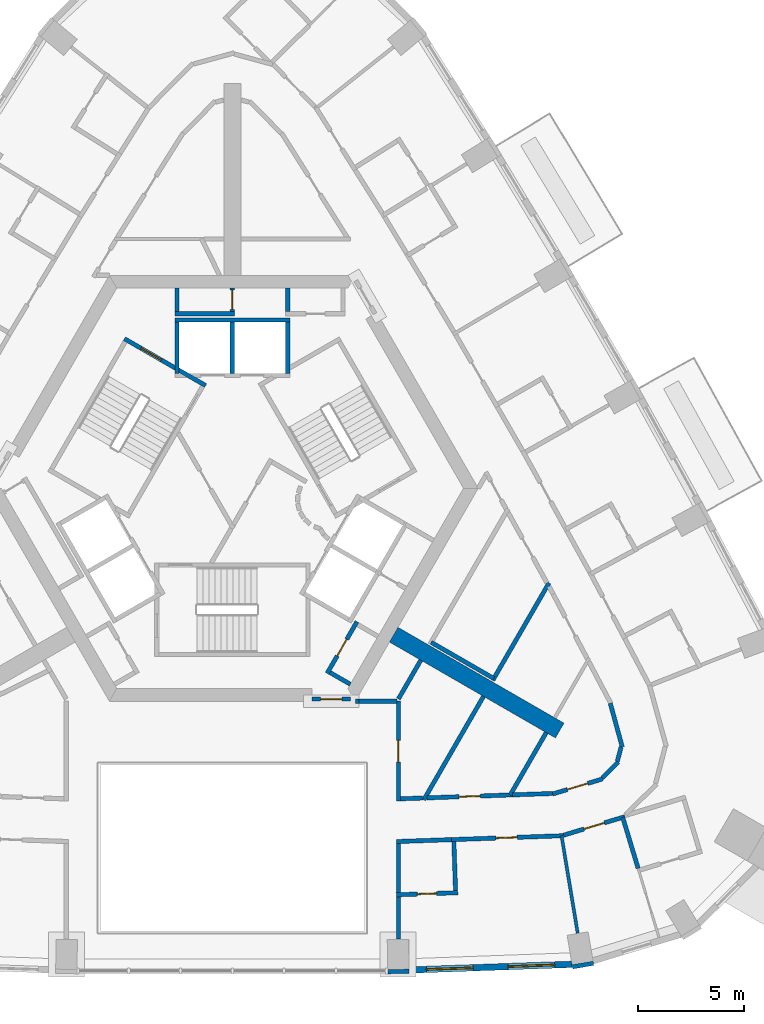
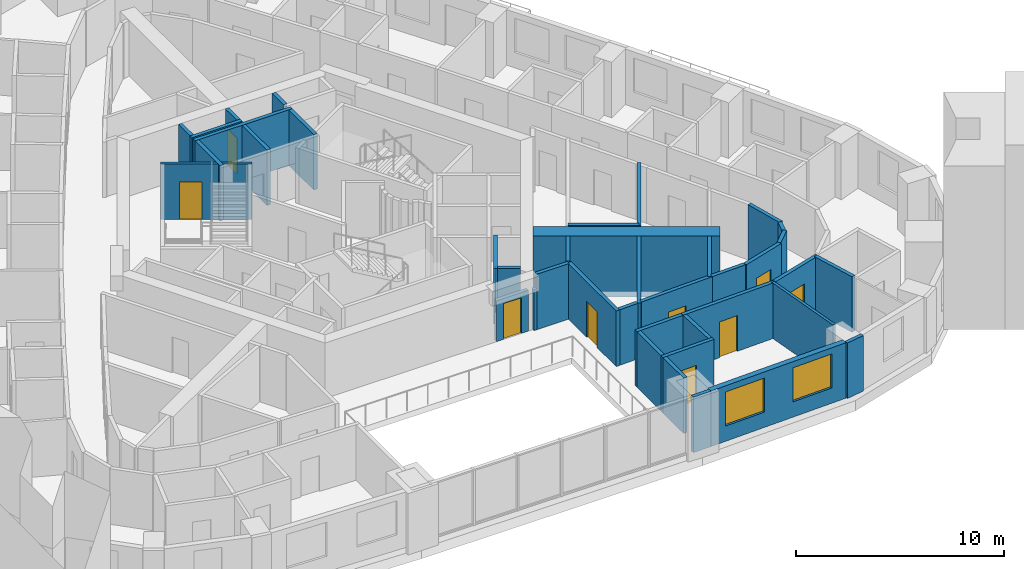
# One storey, part 6 of 14: 40 walls, 10 doors, 2 windows, 12 openings.
"""IFC4 building model written with IfcOpenShell, lengths in metres."""

from ifc_helpers import new_model, si_unit, direction, frame, frame_2d, origin, place, context, subcontext, project, spatial, rectangle, extrude, material, layer, layer_set, type_object, element, fill, save


model = new_model("IFC4")

# Units and contexts
model_context = context("Model", 3, precision=1e-05, world=origin(), true_north=direction((0.0, 1.0)))
body_context = subcontext(model_context, "Body", "Model", "MODEL_VIEW")
ifc_project = project(units=[si_unit("LENGTHUNIT", "METRE"), si_unit("AREAUNIT", "SQUARE_METRE"), si_unit("VOLUMEUNIT", "CUBIC_METRE"), si_unit("PLANEANGLEUNIT", "RADIAN"), si_unit("MASSUNIT", "GRAM", prefix="KILO")], contexts=[model_context])

# Site, building, storey
site_placement = place(None, origin())
site = spatial("IfcSite", under=ifc_project, at=site_placement, CompositionType="ELEMENT")
building_placement = place(site_placement, origin())
building = spatial("IfcBuilding", under=site, at=building_placement, Name="Entoto Arch Interchange Tower", CompositionType="ELEMENT")
storey_placement = place(building_placement, frame((0.0, 0.0, 252.199951171875)))
storey = spatial("IfcBuildingStorey", under=building, at=storey_placement, Name="L57", CompositionType="ELEMENT", Elevation=252.199951171875)

# Wall
ifc_material_1 = material(Name="Concrete C40/50", Category="concrete")
ifc_layer_1 = layer(ifc_material_1, 0.800048828125)
ifc_layer_set_1 = layer_set([ifc_layer_1], Name="Concrete C40/50")
wall_type_1 = type_object("IfcWallType", Name="Buttress wall 800 C40/50", PredefinedType="SHEAR", material=ifc_layer_set_1)
wall_1_placement = place(storey_placement, frame((7.577880859375, -4.375, -0.33984375), z_axis=(0.0, 0.0, 1.0), x_axis=(0.866024315419, -0.5000018851, 0.0)))
element("IfcWall", 1, at=wall_1_placement, inside=storey, type_object=wall_type_1, Name="Buttress wall SE L57", PredefinedType="SHEAR", context=body_context, shape_type="SweptSolid", body=[
    extrude(rectangle(XDim=9.0, YDim=0.800048828125, at=frame_2d((4.5, 0.0))), origin(), (0.0, 0.0, 1.0), 3.599853515625),
])

# Wall, opening, door
ifc_material_2 = material(Name="Reinforced concrete C40/50", Category="concrete")
ifc_layer_2 = layer(ifc_material_2, 0.199951171875)
ifc_layer_set_2 = layer_set([ifc_layer_2], Name="Reinforced concrete C40/50")
wall_type_2 = type_object("IfcWallType", Name="CORE GAP INFILL WALL", PredefinedType="PARTITIONING", material=ifc_layer_set_2)
wall_2_placement = place(storey_placement, frame((3.75, -7.39990234375, 0.0), z_axis=(0.0, 0.0, 1.0), x_axis=(1.0, 0.0, 0.0)))
wall_2 = element("IfcWall", 2, at=wall_2_placement, inside=storey, type_object=wall_type_2, Name="wall:L57:gap1", PredefinedType="PARTITIONING", context=body_context, shape_type="SweptSolid", body=[
    extrude(rectangle(XDim=1.7939453125, YDim=0.199951171875, at=frame_2d((0.89697265625, 0.0))), origin(), (0.0, 0.0, 1.0), 2.400146484375),
])
opening_1_placement = place(wall_2_placement, frame((0.39697265625, 0.0, 0.0)))
opening_1 = element("IfcOpeningElement", 3, at=opening_1_placement, cuts=wall_2, Name="Opening L57-D91", PredefinedType="OPENING", context=body_context, shape_type="SweptSolid", body=[
    extrude(rectangle(XDim=1.0, YDim=2.10009765625, at=frame_2d((0.5, 1.050048828125))), frame((0.0, 0.10986328125, 0.0), z_axis=(0.0, -1.0, 0.0), x_axis=(1.0, 0.0, 0.0)), (0.0, 0.0, 1.0), 0.219970703125),
])
ifc_material_3 = material(Name="Fire-rated Steel S235 door and frame", Category="steel")
door_type_1 = type_object("IfcDoorType", Name="DOOR FD-10 1000x2100", OperationType="SINGLE_SWING_LEFT", PredefinedType="DOOR", material=ifc_material_3)
door_1_placement = place(opening_1_placement, origin())
door_1 = element("IfcDoor", 4, at=door_1_placement, inside=storey, type_object=door_type_1, Name="door:L57:gap1", OperationType="SINGLE_SWING_LEFT", OverallHeight=2.10009765625, OverallWidth=1.0, PredefinedType="DOOR", context=body_context, shape_type="SweptSolid", body=[
    extrude(rectangle(XDim=1.0, YDim=2.10009765625, at=frame_2d((0.5, 1.050048828125))), frame((0.0, 0.02490234375, 0.0), z_axis=(0.0, -1.0, 0.0), x_axis=(1.0, 0.0, 0.0)), (0.0, 0.0, 1.0), 0.050048828125),
])
fill(opening_1, door_1)

# Walls
ifc_layer_3 = layer(ifc_material_1, 0.199951171875)
ifc_layer_set_3 = layer_set([ifc_layer_3], Name="Concrete C40/50")
wall_type_3 = type_object("IfcWallType", Name="LIFT SHAFT WALL 200", PredefinedType="STANDARD", material=ifc_layer_set_3)
wall_3_placement = place(storey_placement, frame((2.699951171875, 10.39990234375, 0.0), z_axis=(0.0, 0.0, 1.0), x_axis=(-1.0, 0.0, 0.0)))
element("IfcWall", 5, at=wall_3_placement, inside=storey, type_object=wall_type_3, Name="Shaft wall N1 back", PredefinedType="STANDARD", context=body_context, shape_type="SweptSolid", body=[
    extrude(rectangle(XDim=5.39990234375, YDim=0.199951171875, at=frame_2d((2.699951171875, 0.0))), origin(), (0.0, 0.0, 1.0), 3.260009765625),
])
for number, where, z_axis, x_axis, name in (
    (6, (2.60009765625, 7.89990234375, 0.0), (0.0, 0.0, 1.0), (0.0, 1.0, 0.0), "Shaft wall N1 cross 1"),
    (7, (0.0, 7.89990234375, 0.0), (0.0, 0.0, 1.0), (0.0, 1.0, 0.0), "Shaft wall N1 cross 2"),
    (8, (-2.60009765625, 7.89990234375, 0.0), (0.0, 0.0, 1.0), (0.0, 1.0, 0.0), "Shaft wall N1 cross 3"),
):
    element("IfcWall", number, at=place(storey_placement, frame(where, z_axis=z_axis, x_axis=x_axis)), inside=storey, type_object=wall_type_3, Name=name, PredefinedType="STANDARD", context=body_context, shape_type="SweptSolid", body=[
        extrude(rectangle(XDim=2.400146484375, YDim=0.199951171875, at=frame_2d((1.2001953125, 0.0))), origin(), (0.0, 0.0, 1.0), 3.260009765625),
    ])
ifc_material_4 = material(Name="Gypsum board partition on steel studs", Category="steel")
ifc_layer_4 = layer(ifc_material_4, 0.14990234375)
ifc_layer_set_4 = layer_set([ifc_layer_4], Name="Gypsum board partition on steel studs")
wall_type_4 = type_object("IfcWallType", Name="PARTITION 150", PredefinedType="PARTITIONING", material=ifc_layer_set_4)
wall_4_placement = place(storey_placement, frame((15.458984375, -13.818115234375, 0.0), z_axis=(0.0, 0.0, 1.0), x_axis=(0.163441652939, -0.986553002167, 0.0)))
element("IfcWall", 9, at=wall_4_placement, inside=storey, type_object=wall_type_4, Name="wall:L57:p124", PredefinedType="PARTITIONING", context=body_context, shape_type="SweptSolid", body=[
    extrude(rectangle(XDim=4.632080078125, YDim=0.14990234375, at=frame_2d((2.31591796875, 0.0))), origin(), (0.0, 0.0, 1.0), 3.260009765625),
])
ifc_layer_5 = layer(ifc_material_4, 0.199951171875)
ifc_layer_set_5 = layer_set([ifc_layer_5], Name="Gypsum board partition on steel studs")
wall_type_5 = type_object("IfcWallType", Name="PARTITION 200", PredefinedType="PARTITIONING", material=ifc_layer_set_5)
wall_5_placement = place(storey_placement, frame((7.89990234375, -12.0810546875, 0.0), z_axis=(0.0, 0.0, 1.0), x_axis=(0.999365240621, 0.035624652105, 0.0)))
element("IfcWall", 10, at=wall_5_placement, inside=storey, type_object=wall_type_5, Name="wall:L57:p014", PredefinedType="PARTITIONING", context=body_context, shape_type="SweptSolid", body=[
    extrude(rectangle(XDim=1.041748046875, YDim=0.199951171875, at=frame_2d((0.52099609375, 0.0))), origin(), (0.0, 0.0, 1.0), 3.260009765625),
])

# Wall, opening, door
wall_6_placement = place(storey_placement, frame((9.14111328125, -12.037109375, 0.0), z_axis=(0.0, 0.0, 1.0), x_axis=(0.999388955878, 0.034953038062, 0.0)))
wall_6 = element("IfcWall", 11, at=wall_6_placement, inside=storey, type_object=wall_type_5, Name="wall:L57:p016", PredefinedType="PARTITIONING", context=body_context, shape_type="SweptSolid", body=[
    extrude(rectangle(XDim=4.00927734375, YDim=0.199951171875, at=frame_2d((2.004638671875, 0.0))), origin(), (0.0, 0.0, 1.0), 3.260009765625),
])
opening_2_placement = place(wall_6_placement, frame((1.5048828125, 0.0, 0.0)))
opening_2 = element("IfcOpeningElement", 12, at=opening_2_placement, cuts=wall_6, Name="Opening L57-D35", PredefinedType="OPENING", context=body_context, shape_type="SweptSolid", body=[
    extrude(rectangle(XDim=1.0, YDim=2.10009765625, at=frame_2d((0.5, 1.050048828125))), frame((0.0, 0.10986328125, 0.0), z_axis=(0.0, -1.0, 0.0), x_axis=(1.0, 0.0, 0.0)), (0.0, 0.0, 1.0), 0.219970703125),
])
ifc_material_5 = material(Name="Timber door leaf in Steel S235 frame", Category="steel")
door_type_2 = type_object("IfcDoorType", Name="DOOR DS-10 1000x2100", OperationType="SINGLE_SWING_LEFT", PredefinedType="DOOR", material=ifc_material_5)
door_2_placement = place(opening_2_placement, origin())
door_2 = element("IfcDoor", 13, at=door_2_placement, inside=storey, type_object=door_type_2, Name="door:L57:35", OperationType="SINGLE_SWING_LEFT", OverallHeight=2.10009765625, OverallWidth=1.0, PredefinedType="DOOR", context=body_context, shape_type="SweptSolid", body=[
    extrude(rectangle(XDim=1.0, YDim=2.10009765625, at=frame_2d((0.5, 1.050048828125))), frame((0.0, 0.02490234375, 0.0), z_axis=(0.0, -1.0, 0.0), x_axis=(1.0, 0.0, 0.0)), (0.0, 0.0, 1.0), 0.050048828125),
])
fill(opening_2, door_2)

# Wall
wall_7_placement = place(storey_placement, frame((13.14794921875, -11.89697265625, 0.0), z_axis=(0.0, 0.0, 1.0), x_axis=(0.999405229262, 0.034484601243, 0.0)))
element("IfcWall", 14, at=wall_7_placement, inside=storey, type_object=wall_type_5, Name="wall:L57:p019", PredefinedType="PARTITIONING", context=body_context, shape_type="SweptSolid", body=[
    extrude(rectangle(XDim=1.88330078125, YDim=0.199951171875, at=frame_2d((0.941650390625, 0.0))), origin(), (0.0, 0.0, 1.0), 3.260009765625),
])

# Wall, opening, door
wall_8_placement = place(storey_placement, frame((15.033935546875, -11.85693359375, 0.0), z_axis=(0.0, 0.0, 1.0), x_axis=(0.957338084933, 0.288970225346, 0.0)))
wall_8 = element("IfcWall", 15, at=wall_8_placement, inside=storey, type_object=wall_type_5, Name="wall:L57:p020", PredefinedType="PARTITIONING", context=body_context, shape_type="SweptSolid", body=[
    extrude(rectangle(XDim=2.456787109375, YDim=0.199951171875, at=frame_2d((1.228515625, 0.0))), origin(), (0.0, 0.0, 1.0), 3.260009765625),
])
opening_3_placement = place(wall_8_placement, frame((0.72802734375, 0.0, 0.0)))
opening_3 = element("IfcOpeningElement", 16, at=opening_3_placement, cuts=wall_8, Name="Opening L57-D37", PredefinedType="OPENING", context=body_context, shape_type="SweptSolid", body=[
    extrude(rectangle(XDim=1.0, YDim=2.10009765625, at=frame_2d((0.5, 1.050048828125))), frame((0.0, 0.10986328125, 0.0), z_axis=(0.0, -1.0, 0.0), x_axis=(1.0, 0.0, 0.0)), (0.0, 0.0, 1.0), 0.219970703125),
])
door_3_placement = place(opening_3_placement, origin())
door_3 = element("IfcDoor", 17, at=door_3_placement, inside=storey, type_object=door_type_2, Name="door:L57:37", OperationType="SINGLE_SWING_LEFT", OverallHeight=2.10009765625, OverallWidth=1.0, PredefinedType="DOOR", context=body_context, shape_type="SweptSolid", body=[
    extrude(rectangle(XDim=1.0, YDim=2.10009765625, at=frame_2d((0.5, 1.050048828125))), frame((0.0, 0.02490234375, 0.0), z_axis=(0.0, -1.0, 0.0), x_axis=(1.0, 0.0, 0.0)), (0.0, 0.0, 1.0), 0.050048828125),
])
fill(opening_3, door_3)

# Walls
wall_9_placement = place(storey_placement, frame((17.362060546875, -11.10595703125, 0.0), z_axis=(0.0, 0.0, 1.0), x_axis=(0.710859741153, 0.703333795866, 0.0)))
element("IfcWall", 18, at=wall_9_placement, inside=storey, type_object=wall_type_5, Name="wall:L57:p021", PredefinedType="PARTITIONING", context=body_context, shape_type="SweptSolid", body=[
    extrude(rectangle(XDim=1.070556640625, YDim=0.199951171875, at=frame_2d((0.53515625, 0.0))), origin(), (0.0, 0.0, 1.0), 3.260009765625),
])
wall_10_placement = place(storey_placement, frame((18.076904296875, -10.325927734375, 0.0), z_axis=(0.0, 0.0, 1.0), x_axis=(0.254782174857, 0.966998471237, 0.0)))
element("IfcWall", 19, at=wall_10_placement, inside=storey, type_object=wall_type_5, Name="wall:L57:p022", PredefinedType="PARTITIONING", context=body_context, shape_type="SweptSolid", body=[
    extrude(rectangle(XDim=0.707275390625, YDim=0.199951171875, at=frame_2d((0.353515625, 0.0))), origin(), (0.0, 0.0, 1.0), 3.260009765625),
])
wall_11_placement = place(storey_placement, frame((18.30810546875, -9.64208984375, 0.0), z_axis=(0.0, 0.0, 1.0), x_axis=(-0.264859637197, 0.96428697626, 0.0)))
element("IfcWall", 20, at=wall_11_placement, inside=storey, type_object=wall_type_5, Name="wall:L57:p023", PredefinedType="PARTITIONING", context=body_context, shape_type="SweptSolid", body=[
    extrude(rectangle(XDim=2.121826171875, YDim=0.199951171875, at=frame_2d((1.06103515625, 0.0))), origin(), (0.0, 0.0, 1.0), 3.260009765625),
])

# Wall, opening, door
wall_12_placement = place(storey_placement, frame((15.55908203125, -13.81396484375, 0.0), z_axis=(0.0, 0.0, 1.0), x_axis=(-0.999388410674, -0.034968623214, 0.0)))
wall_12 = element("IfcWall", 21, at=wall_12_placement, inside=storey, type_object=wall_type_5, Name="wall:L57:p036", PredefinedType="PARTITIONING", context=body_context, shape_type="SweptSolid", body=[
    extrude(rectangle(XDim=5.26416015625, YDim=0.199951171875, at=frame_2d((2.632080078125, 0.0))), origin(), (0.0, 0.0, 1.0), 3.260009765625),
])
opening_4_placement = place(wall_12_placement, frame((2.181884765625, 0.0, 0.0)))
opening_4 = element("IfcOpeningElement", 22, at=opening_4_placement, cuts=wall_12, Name="Opening L57-D01", PredefinedType="OPENING", context=body_context, shape_type="SweptSolid", body=[
    extrude(rectangle(XDim=1.0, YDim=2.10009765625, at=frame_2d((0.5, 1.050048828125))), frame((0.0, 0.10986328125, 0.0), z_axis=(0.0, -1.0, 0.0), x_axis=(1.0, 0.0, 0.0)), (0.0, 0.0, 1.0), 0.219970703125),
])
door_4_placement = place(opening_4_placement, origin())
door_4 = element("IfcDoor", 23, at=door_4_placement, inside=storey, type_object=door_type_1, Name="door:L57:01", OperationType="SINGLE_SWING_LEFT", OverallHeight=2.10009765625, OverallWidth=1.0, PredefinedType="DOOR", context=body_context, shape_type="SweptSolid", body=[
    extrude(rectangle(XDim=1.0, YDim=2.10009765625, at=frame_2d((0.5, 1.050048828125))), frame((0.0, 0.02490234375, 0.0), z_axis=(0.0, -1.0, 0.0), x_axis=(1.0, 0.0, 0.0)), (0.0, 0.0, 1.0), 0.050048828125),
])
fill(opening_4, door_4)

# Wall
wall_13_placement = place(storey_placement, frame((10.298095703125, -13.998046875, 0.0), z_axis=(0.0, 0.0, 1.0), x_axis=(-0.999386321032, -0.035028293342, 0.0)))
element("IfcWall", 24, at=wall_13_placement, inside=storey, type_object=wall_type_5, Name="wall:L57:p037", PredefinedType="PARTITIONING", context=body_context, shape_type="SweptSolid", body=[
    extrude(rectangle(XDim=2.599853515625, YDim=0.199951171875, at=frame_2d((1.2998046875, 0.0))), origin(), (0.0, 0.0, 1.0), 3.260009765625),
])

# Wall, opening, door
wall_14_placement = place(storey_placement, frame((18.427001953125, -12.922119140625, 0.0), z_axis=(0.0, 0.0, 1.0), x_axis=(-0.957336631432, -0.288975040651, 0.0)))
wall_14 = element("IfcWall", 25, at=wall_14_placement, inside=storey, type_object=wall_type_5, Name="wall:L57:p038", PredefinedType="PARTITIONING", context=body_context, shape_type="SweptSolid", body=[
    extrude(rectangle(XDim=3.0, YDim=0.199951171875, at=frame_2d((1.5, 0.0))), origin(), (0.0, 0.0, 1.0), 3.260009765625),
])
opening_5_placement = place(wall_14_placement, frame((1.0, 0.0, 0.0)))
opening_5 = element("IfcOpeningElement", 26, at=opening_5_placement, cuts=wall_14, Name="Opening L57-D03", PredefinedType="OPENING", context=body_context, shape_type="SweptSolid", body=[
    extrude(rectangle(XDim=1.0, YDim=2.10009765625, at=frame_2d((0.5, 1.050048828125))), frame((0.0, 0.10986328125, 0.0), z_axis=(0.0, -1.0, 0.0), x_axis=(1.0, 0.0, 0.0)), (0.0, 0.0, 1.0), 0.219970703125),
])
door_5_placement = place(opening_5_placement, origin())
door_5 = element("IfcDoor", 27, at=door_5_placement, inside=storey, type_object=door_type_1, Name="door:L57:03", OperationType="SINGLE_SWING_LEFT", OverallHeight=2.10009765625, OverallWidth=1.0, PredefinedType="DOOR", context=body_context, shape_type="SweptSolid", body=[
    extrude(rectangle(XDim=1.0, YDim=2.10009765625, at=frame_2d((0.5, 1.050048828125))), frame((0.0, 0.02490234375, 0.0), z_axis=(0.0, -1.0, 0.0), x_axis=(1.0, 0.0, 0.0)), (0.0, 0.0, 1.0), 0.050048828125),
])
fill(opening_5, door_5)

# Wall
wall_15_placement = place(storey_placement, frame((2.60009765625, 10.800048828125, 0.0), z_axis=(0.0, 0.0, 1.0), x_axis=(0.0, 1.0, 0.0)))
element("IfcWall", 28, at=wall_15_placement, inside=storey, type_object=wall_type_5, Name="wall:L57:p074", PredefinedType="PARTITIONING", context=body_context, shape_type="SweptSolid", body=[
    extrude(rectangle(XDim=1.099853515625, YDim=0.199951171875, at=frame_2d((0.5498046875, 0.0))), origin(), (0.0, 0.0, 1.0), 3.260009765625),
])

# Wall, opening, door
wall_16_placement = place(storey_placement, frame((0.0, 11.89990234375, 0.0), z_axis=(0.0, 0.0, 1.0), x_axis=(0.0, -1.0, 0.0)))
wall_16 = element("IfcWall", 29, at=wall_16_placement, inside=storey, type_object=wall_type_5, Name="wall:L57:p075", PredefinedType="PARTITIONING", context=body_context, shape_type="SweptSolid", body=[
    extrude(rectangle(XDim=1.099853515625, YDim=0.199951171875, at=frame_2d((0.5498046875, 0.0))), origin(), (0.0, 0.0, 1.0), 3.260009765625),
])
opening_6_placement = place(wall_16_placement, frame((0.10009765625, 0.0, 0.0)))
opening_6 = element("IfcOpeningElement", 30, at=opening_6_placement, cuts=wall_16, Name="Opening L57-D49", PredefinedType="OPENING", context=body_context, shape_type="SweptSolid", body=[
    extrude(rectangle(XDim=0.89990234375, YDim=2.10009765625, at=frame_2d((0.449951171875, 1.050048828125))), frame((0.0, 0.10986328125, 0.0), z_axis=(0.0, -1.0, 0.0), x_axis=(1.0, 0.0, 0.0)), (0.0, 0.0, 1.0), 0.219970703125),
])
door_type_3 = type_object("IfcDoorType", Name="DOOR DS-09 900x2100", OperationType="SINGLE_SWING_LEFT", PredefinedType="DOOR", material=ifc_material_5)
door_6_placement = place(opening_6_placement, origin())
door_6 = element("IfcDoor", 31, at=door_6_placement, inside=storey, type_object=door_type_3, Name="door:L57:49", OperationType="SINGLE_SWING_LEFT", OverallHeight=2.10009765625, OverallWidth=0.89990234375, PredefinedType="DOOR", context=body_context, shape_type="SweptSolid", body=[
    extrude(rectangle(XDim=0.89990234375, YDim=2.10009765625, at=frame_2d((0.449951171875, 1.050048828125))), frame((0.0, 0.02490234375, 0.0), z_axis=(0.0, -1.0, 0.0), x_axis=(1.0, 0.0, 0.0)), (0.0, 0.0, 1.0), 0.050048828125),
])
fill(opening_6, door_6)

# Walls
wall_17_placement = place(storey_placement, frame((0.10009765625, 10.699951171875, 0.0), z_axis=(0.0, 0.0, 1.0), x_axis=(-1.0, 0.0, 0.0)))
element("IfcWall", 32, at=wall_17_placement, inside=storey, type_object=wall_type_5, Name="wall:L57:p076", PredefinedType="PARTITIONING", context=body_context, shape_type="SweptSolid", body=[
    extrude(rectangle(XDim=2.800048828125, YDim=0.199951171875, at=frame_2d((1.39990234375, 0.0))), origin(), (0.0, 0.0, 1.0), 3.260009765625),
])
wall_18_placement = place(storey_placement, frame((-2.60009765625, 10.800048828125, 0.0), z_axis=(0.0, 0.0, 1.0), x_axis=(0.0, 1.0, 0.0)))
element("IfcWall", 33, at=wall_18_placement, inside=storey, type_object=wall_type_5, Name="wall:L57:p077", PredefinedType="PARTITIONING", context=body_context, shape_type="SweptSolid", body=[
    extrude(rectangle(XDim=1.099853515625, YDim=0.199951171875, at=frame_2d((0.5498046875, 0.0))), origin(), (0.0, 0.0, 1.0), 3.260009765625),
])
wall_19_placement = place(storey_placement, frame((5.541015625, -6.702880859375, 0.0), z_axis=(0.0, 0.0, 1.0), x_axis=(-0.86621513555, 0.499671230855, 0.0)))
element("IfcWall", 34, at=wall_19_placement, inside=storey, type_object=wall_type_5, Name="wall:L57:p078", PredefinedType="PARTITIONING", context=body_context, shape_type="SweptSolid", body=[
    extrude(rectangle(XDim=1.100341796875, YDim=0.199951171875, at=frame_2d((0.55029296875, 0.0))), origin(), (0.0, 0.0, 1.0), 3.260009765625),
])

# Wall, opening, door
wall_20_placement = place(storey_placement, frame((4.450927734375, -6.18994140625, 0.0), z_axis=(0.0, 0.0, 1.0), x_axis=(0.500011755427, 0.866018616679, 0.0)))
wall_20 = element("IfcWall", 35, at=wall_20_placement, inside=storey, type_object=wall_type_5, Name="wall:L57:p079", PredefinedType="PARTITIONING", context=body_context, shape_type="SweptSolid", body=[
    extrude(rectangle(XDim=2.80029296875, YDim=0.199951171875, at=frame_2d((1.400146484375, 0.0))), origin(), (0.0, 0.0, 1.0), 3.260009765625),
])
opening_7_placement = place(wall_20_placement, frame((0.949951171875, 0.0, 0.0)))
opening_7 = element("IfcOpeningElement", 36, at=opening_7_placement, cuts=wall_20, Name="Opening L57-D50", PredefinedType="OPENING", context=body_context, shape_type="SweptSolid", body=[
    extrude(rectangle(XDim=0.89990234375, YDim=2.10009765625, at=frame_2d((0.449951171875, 1.050048828125))), frame((0.0, 0.10986328125, 0.0), z_axis=(0.0, -1.0, 0.0), x_axis=(1.0, 0.0, 0.0)), (0.0, 0.0, 1.0), 0.219970703125),
])
door_7_placement = place(opening_7_placement, origin())
door_7 = element("IfcDoor", 37, at=door_7_placement, inside=storey, type_object=door_type_3, Name="door:L57:50", OperationType="SINGLE_SWING_LEFT", OverallHeight=2.10009765625, OverallWidth=0.89990234375, PredefinedType="DOOR", context=body_context, shape_type="SweptSolid", body=[
    extrude(rectangle(XDim=0.89990234375, YDim=2.10009765625, at=frame_2d((0.449951171875, 1.050048828125))), frame((0.0, 0.02490234375, 0.0), z_axis=(0.0, -1.0, 0.0), x_axis=(1.0, 0.0, 0.0)), (0.0, 0.0, 1.0), 0.050048828125),
])
fill(opening_7, door_7)

# Walls
wall_21_placement = place(storey_placement, frame((5.77490234375, -7.4990234375, 0.0), z_axis=(0.0, 0.0, 1.0), x_axis=(1.0, 0.0, 0.0)))
element("IfcWall", 38, at=wall_21_placement, inside=storey, type_object=wall_type_5, Name="wall:L57:p090", PredefinedType="PARTITIONING", context=body_context, shape_type="SweptSolid", body=[
    extrude(rectangle(XDim=0.169189453125, YDim=0.199951171875, at=frame_2d((0.08447265625, 0.0))), origin(), (0.0, 0.0, 1.0), 2.400146484375),
])
wall_22_placement = place(storey_placement, frame((7.800048828125, -7.389892578125, 0.0), z_axis=(0.0, 0.0, 1.0), x_axis=(0.499977374825, 0.866038466041, 0.0)))
element("IfcWall", 39, at=wall_22_placement, inside=storey, type_object=wall_type_5, Name="wall:L57:p091", PredefinedType="PARTITIONING", context=body_context, shape_type="SweptSolid", body=[
    extrude(rectangle(XDim=2.10009765625, YDim=0.199951171875, at=frame_2d((1.050048828125, 0.0))), origin(), (0.0, 0.0, 1.0), 3.260009765625),
])

# Wall, opening, door
wall_23_placement = place(storey_placement, frame((7.800048828125, -7.4990234375, 0.0), z_axis=(0.0, 0.0, 1.0), x_axis=(0.0, -1.0, 0.0)))
wall_23 = element("IfcWall", 40, at=wall_23_placement, inside=storey, type_object=wall_type_5, Name="wall:L57:p105", PredefinedType="PARTITIONING", context=body_context, shape_type="SweptSolid", body=[
    extrude(rectangle(XDim=4.68505859375, YDim=0.199951171875, at=frame_2d((2.342529296875, 0.0))), origin(), (0.0, 0.0, 1.0), 3.260009765625),
])
opening_8_placement = place(wall_23_placement, frame((1.842041015625, 0.0, 0.0)))
opening_8 = element("IfcOpeningElement", 41, at=opening_8_placement, cuts=wall_23, Name="Opening L57-D33", PredefinedType="OPENING", context=body_context, shape_type="SweptSolid", body=[
    extrude(rectangle(XDim=1.0, YDim=2.10009765625, at=frame_2d((0.5, 1.050048828125))), frame((0.0, 0.10986328125, 0.0), z_axis=(0.0, -1.0, 0.0), x_axis=(1.0, 0.0, 0.0)), (0.0, 0.0, 1.0), 0.219970703125),
])
door_8_placement = place(opening_8_placement, origin())
door_8 = element("IfcDoor", 42, at=door_8_placement, inside=storey, type_object=door_type_2, Name="door:L57:33", OperationType="SINGLE_SWING_LEFT", OverallHeight=2.10009765625, OverallWidth=1.0, PredefinedType="DOOR", context=body_context, shape_type="SweptSolid", body=[
    extrude(rectangle(XDim=1.0, YDim=2.10009765625, at=frame_2d((0.5, 1.050048828125))), frame((0.0, 0.02490234375, 0.0), z_axis=(0.0, -1.0, 0.0), x_axis=(1.0, 0.0, 0.0)), (0.0, 0.0, 1.0), 0.050048828125),
])
fill(opening_8, door_8)

# Walls
wall_24_placement = place(storey_placement, frame((7.800048828125, -16.68603515625, 0.0), z_axis=(0.0, 0.0, 1.0), x_axis=(0.0, -1.0, 0.0)))
element("IfcWall", 43, at=wall_24_placement, inside=storey, type_object=wall_type_5, Name="wall:L57:p107", PredefinedType="PARTITIONING", context=body_context, shape_type="SweptSolid", body=[
    extrude(rectangle(XDim=1.98291015625, YDim=0.199951171875, at=frame_2d((0.991455078125, 0.0))), origin(), (0.0, 0.0, 1.0), 3.260009765625),
])
wall_25_placement = place(storey_placement, frame((7.800048828125, -14.18505859375, 0.0), z_axis=(0.0, 0.0, 1.0), x_axis=(0.0, -1.0, 0.0)))
element("IfcWall", 44, at=wall_25_placement, inside=storey, type_object=wall_type_5, Name="wall:L57:p108", PredefinedType="PARTITIONING", context=body_context, shape_type="SweptSolid", body=[
    extrude(rectangle(XDim=2.301025390625, YDim=0.199951171875, at=frame_2d((1.150390625, 0.0))), origin(), (0.0, 0.0, 1.0), 3.260009765625),
])
wall_26_placement = place(storey_placement, frame((9.3349609375, -4.73193359375, 0.0), z_axis=(0.0, 0.0, 1.0), x_axis=(0.866002606077, -0.500039484709, 0.0)))
element("IfcWall", 45, at=wall_26_placement, inside=storey, type_object=wall_type_5, Name="wall:L57:p111", PredefinedType="PARTITIONING", context=body_context, shape_type="SweptSolid", body=[
    extrude(rectangle(XDim=3.399658203125, YDim=0.199951171875, at=frame_2d((1.69970703125, 0.0))), origin(), (0.0, 0.0, 1.0), 3.260009765625),
])
wall_27_placement = place(storey_placement, frame((11.7939453125, -7.27099609375, 0.0), z_axis=(0.0, 0.0, 1.0), x_axis=(-0.499918457185, -0.866072477433, 0.0)))
element("IfcWall", 46, at=wall_27_placement, inside=storey, type_object=wall_type_5, Name="wall:L57:p112", PredefinedType="PARTITIONING", context=body_context, shape_type="SweptSolid", body=[
    extrude(rectangle(XDim=5.60693359375, YDim=0.199951171875, at=frame_2d((2.803466796875, 0.0))), origin(), (0.0, 0.0, 1.0), 3.260009765625),
])
wall_28_placement = place(storey_placement, frame((14.87109375, -1.94189453125, 0.0), z_axis=(0.0, 0.0, 1.0), x_axis=(-0.50000507839, -0.866022471755, 0.0)))
element("IfcWall", 47, at=wall_28_placement, inside=storey, type_object=wall_type_5, Name="wall:L57:p114", PredefinedType="PARTITIONING", context=body_context, shape_type="SweptSolid", body=[
    extrude(rectangle(XDim=5.2841796875, YDim=0.199951171875, at=frame_2d((2.64208984375, 0.0))), origin(), (0.0, 0.0, 1.0), 3.260009765625),
])
wall_29_placement = place(storey_placement, frame((14.739013671875, -8.971923828125, 0.0), z_axis=(0.0, 0.0, 1.0), x_axis=(-0.499974489635, -0.8660401317, 0.0)))
element("IfcWall", 48, at=wall_29_placement, inside=storey, type_object=wall_type_5, Name="wall:L57:p116", PredefinedType="PARTITIONING", context=body_context, shape_type="SweptSolid", body=[
    extrude(rectangle(XDim=3.382080078125, YDim=0.199951171875, at=frame_2d((1.69091796875, 0.0))), origin(), (0.0, 0.0, 1.0), 3.260009765625),
])

# Wall, opening, door
wall_30_placement = place(storey_placement, frame((7.699951171875, -16.589111328125, 0.0), z_axis=(0.0, 0.0, 1.0), x_axis=(0.999410709261, 0.034325416459, 0.0)))
wall_30 = element("IfcWall", 49, at=wall_30_placement, inside=storey, type_object=wall_type_5, Name="wall:L57:p122", PredefinedType="PARTITIONING", context=body_context, shape_type="SweptSolid", body=[
    extrude(rectangle(XDim=2.8876953125, YDim=0.199951171875, at=frame_2d((1.44384765625, 0.0))), origin(), (0.0, 0.0, 1.0), 3.260009765625),
])
opening_9_placement = place(wall_30_placement, frame((0.993896484375, 0.0, 0.0)))
opening_9 = element("IfcOpeningElement", 50, at=opening_9_placement, cuts=wall_30, Name="Opening L57-D02", PredefinedType="OPENING", context=body_context, shape_type="SweptSolid", body=[
    extrude(rectangle(XDim=0.89990234375, YDim=2.10009765625, at=frame_2d((0.449951171875, 1.050048828125))), frame((0.0, 0.10986328125, 0.0), z_axis=(0.0, -1.0, 0.0), x_axis=(1.0, 0.0, 0.0)), (0.0, 0.0, 1.0), 0.219970703125),
])
door_9_placement = place(opening_9_placement, origin())
door_9 = element("IfcDoor", 51, at=door_9_placement, inside=storey, type_object=door_type_3, Name="door:L57:02", OperationType="SINGLE_SWING_LEFT", OverallHeight=2.10009765625, OverallWidth=0.89990234375, PredefinedType="DOOR", context=body_context, shape_type="SweptSolid", body=[
    extrude(rectangle(XDim=0.89990234375, YDim=2.10009765625, at=frame_2d((0.449951171875, 1.050048828125))), frame((0.0, 0.02490234375, 0.0), z_axis=(0.0, -1.0, 0.0), x_axis=(1.0, 0.0, 0.0)), (0.0, 0.0, 1.0), 0.050048828125),
])
fill(opening_9, door_9)

# Walls
wall_31_placement = place(storey_placement, frame((10.48193359375, -16.39306640625, 0.0), z_axis=(0.0, 0.0, 1.0), x_axis=(-0.034703518322, 0.999397651496, 0.0)))
element("IfcWall", 52, at=wall_31_placement, inside=storey, type_object=wall_type_5, Name="wall:L57:p123", PredefinedType="PARTITIONING", context=body_context, shape_type="SweptSolid", body=[
    extrude(rectangle(XDim=2.300537109375, YDim=0.199951171875, at=frame_2d((1.150390625, 0.0))), origin(), (0.0, 0.0, 1.0), 3.260009765625),
])
wall_32_placement = place(storey_placement, frame((18.3310546875, -12.950927734375, 0.0), z_axis=(0.0, 0.0, 1.0), x_axis=(0.289175152117, -0.957276204341, 0.0)))
element("IfcWall", 53, at=wall_32_placement, inside=storey, type_object=wall_type_5, Name="wall:L57:p126", PredefinedType="PARTITIONING", context=body_context, shape_type="SweptSolid", body=[
    extrude(rectangle(XDim=2.499755859375, YDim=0.199951171875, at=frame_2d((1.25, 0.0))), origin(), (0.0, 0.0, 1.0), 3.260009765625),
])
wall_33_placement = place(storey_placement, frame((5.944091796875, -7.4990234375, 0.0), z_axis=(0.0, 0.0, 1.0), x_axis=(1.0, 0.0, 0.0)))
element("IfcWall", 54, at=wall_33_placement, inside=storey, type_object=wall_type_5, Name="wall:L57:p090", PredefinedType="PARTITIONING", context=body_context, shape_type="SweptSolid", body=[
    extrude(rectangle(XDim=1.79296875, YDim=0.199951171875, at=frame_2d((0.896484375, 0.0))), origin(), (0.0, 0.0, 1.0), 3.260009765625),
])

# Wall, opening, door
ifc_layer_6 = layer(ifc_material_1, 0.199951171875)
ifc_layer_set_6 = layer_set([ifc_layer_6], Name="Concrete C40/50")
wall_type_6 = type_object("IfcWallType", Name="STAIR ENCLOSURE WALL 200", PredefinedType="STANDARD", material=ifc_layer_set_6)
wall_34_placement = place(storey_placement, frame((-1.256103515625, 7.323974609375, 0.0), z_axis=(0.0, 0.0, 1.0), x_axis=(-0.866046073146, 0.499964197906, 0.0)))
wall_34 = element("IfcWall", 55, at=wall_34_placement, inside=storey, type_object=wall_type_6, Name="Stair wall ST-NW near", PredefinedType="STANDARD", context=body_context, shape_type="SweptSolid", body=[
    extrude(rectangle(XDim=4.400146484375, YDim=0.199951171875, at=frame_2d((2.2001953125, 0.0))), origin(), (0.0, 0.0, 1.0), 3.260009765625),
])
opening_10_placement = place(wall_34_placement, frame((2.39990234375, 0.0, 0.0)))
opening_10 = element("IfcOpeningElement", 56, at=opening_10_placement, cuts=wall_34, Name="Opening SD-ST-NW-L57-E", PredefinedType="OPENING", context=body_context, shape_type="SweptSolid", body=[
    extrude(rectangle(XDim=1.10009765625, YDim=2.199951171875, at=frame_2d((0.550048828125, 1.10009765625))), frame((0.0, 0.10986328125, 0.0), z_axis=(0.0, -1.0, 0.0), x_axis=(1.0, 0.0, 0.0)), (0.0, 0.0, 1.0), 0.219970703125),
])
ifc_material_6 = material(Name="Steel S235", Category="steel")
door_type_4 = type_object("IfcDoorType", Name="STAIR DOOR SD1 1100x2200", OperationType="SINGLE_SWING_LEFT", PredefinedType="DOOR", material=ifc_material_6)
door_10_placement = place(opening_10_placement, origin())
door_10 = element("IfcDoor", 57, at=door_10_placement, inside=storey, type_object=door_type_4, Name="Stair door ST-NW L57 end", OperationType="SINGLE_SWING_LEFT", OverallHeight=2.199951171875, OverallWidth=1.10009765625, PredefinedType="DOOR", context=body_context, shape_type="SweptSolid", body=[
    extrude(rectangle(XDim=1.10009765625, YDim=2.199951171875, at=frame_2d((0.550048828125, 1.10009765625))), frame((0.0, 0.02490234375, 0.0), z_axis=(0.0, -1.0, 0.0), x_axis=(1.0, 0.0, 0.0)), (0.0, 0.0, 1.0), 0.050048828125),
])
fill(opening_10, door_10)

# Wall, openings, windows
ifc_material_7 = material(Name="Welded tuff (ignimbrite) cladding, warm buff", Category="masonry")
ifc_layer_7 = layer(ifc_material_7, 0.300048828125)
ifc_layer_set_7 = layer_set([ifc_layer_7], Name="Welded tuff (ignimbrite) cladding, warm buff")
wall_type_7 = type_object("IfcWallType", Name="STONE INFILL WALL 300", PredefinedType="STANDARD", material=ifc_layer_set_7)
wall_35_placement = place(storey_placement, frame((8.2958984375, -20.1220703125, 0.0), z_axis=(0.0, 0.0, 1.0), x_axis=(0.999387577449, 0.034992428331, 0.0)))
wall_35 = element("IfcWall", 58, at=wall_35_placement, inside=storey, type_object=wall_type_7, Name="Facade wall S-03 L57", PredefinedType="STANDARD", context=body_context, shape_type="SweptSolid", body=[
    extrude(rectangle(XDim=7.66064453125, YDim=0.300048828125, at=frame_2d((3.830322265625, 0.0))), origin(), (0.0, 0.0, 1.0), 3.260009765625),
])
opening_11_placement = place(wall_35_placement, frame((0.81494140625, 0.0, 0.89990234375)))
opening_11 = element("IfcOpeningElement", 59, at=opening_11_placement, cuts=wall_35, Name="Opening WH-A", PredefinedType="OPENING", context=body_context, shape_type="SweptSolid", body=[
    extrude(rectangle(XDim=2.199951171875, YDim=2.0, at=frame_2d((1.10009765625, 1.0))), frame((0.0, 0.16015625, 0.0), z_axis=(0.0, -1.0, 0.0), x_axis=(1.0, 0.0, 0.0)), (0.0, 0.0, 1.0), 0.320068359375),
])
opening_12_placement = place(wall_35_placement, frame((4.64599609375, 0.0, 0.89990234375)))
opening_12 = element("IfcOpeningElement", 60, at=opening_12_placement, cuts=wall_35, Name="Opening WH-A", PredefinedType="OPENING", context=body_context, shape_type="SweptSolid", body=[
    extrude(rectangle(XDim=2.199951171875, YDim=2.0, at=frame_2d((1.10009765625, 1.0))), frame((0.0, 0.16015625, 0.0), z_axis=(0.0, -1.0, 0.0), x_axis=(1.0, 0.0, 0.0)), (0.0, 0.0, 1.0), 0.320068359375),
])
ifc_material_8 = material(Name="Clear glass, low-e double glazed", Category="glass")
window_type = type_object("IfcWindowType", Name="WINDOW WH-A 2200x2000", PartitioningType="DOUBLE_PANEL_VERTICAL", PredefinedType="WINDOW", material=ifc_material_8)
window_1_placement = place(opening_11_placement, origin())
window_1 = element("IfcWindow", 61, at=window_1_placement, inside=storey, type_object=window_type, Name="Window WH-A S-03 L57", OverallHeight=2.0, OverallWidth=2.199951171875, PartitioningType="SINGLE_PANEL", PredefinedType="WINDOW", context=body_context, shape_type="SweptSolid", body=[
    extrude(rectangle(XDim=2.199951171875, YDim=2.0, at=frame_2d((1.10009765625, 1.0))), frame((0.0, 0.030029296875, 0.0), z_axis=(0.0, -1.0, 0.0), x_axis=(1.0, 0.0, 0.0)), (0.0, 0.0, 1.0), 0.06005859375),
])
fill(opening_11, window_1)
window_2_placement = place(opening_12_placement, origin())
window_2 = element("IfcWindow", 62, at=window_2_placement, inside=storey, type_object=window_type, Name="Window WH-A S-03 L57", OverallHeight=2.0, OverallWidth=2.199951171875, PartitioningType="SINGLE_PANEL", PredefinedType="WINDOW", context=body_context, shape_type="SweptSolid", body=[
    extrude(rectangle(XDim=2.199951171875, YDim=2.0, at=frame_2d((1.10009765625, 1.0))), frame((0.0, 0.030029296875, 0.0), z_axis=(0.0, -1.0, 0.0), x_axis=(1.0, 0.0, 0.0)), (0.0, 0.0, 1.0), 0.06005859375),
])
fill(opening_12, window_2)

# Walls
ifc_layer_8 = layer(ifc_material_7, 0.199951171875)
ifc_layer_set_8 = layer_set([ifc_layer_8], Name="Welded tuff (ignimbrite) cladding, warm buff")
wall_type_8 = type_object("IfcWallType", Name="STONE PIER CLADDING 200", PredefinedType="STANDARD", material=ifc_layer_set_8)
for number, where, z_axis, x_axis, name in (
    (63, (7.298095703125, -20.197998046875, 0.0), (0.0, 0.0, 1.0), (0.999836842422, 0.018063458579, 0.0), "Stone pier S03 L57"),
    (64, (15.969970703125, -19.970947265625, 0.0), (0.0, 0.0, 1.0), (0.985961725342, 0.166971483074, 0.0), "Stone pier S04 L57"),
):
    element("IfcWall", number, at=place(storey_placement, frame(where, z_axis=z_axis, x_axis=x_axis)), inside=storey, type_object=wall_type_8, Name=name, PredefinedType="STANDARD", context=body_context, shape_type="SweptSolid", body=[
        extrude(rectangle(XDim=1.000244140625, YDim=0.199951171875, at=frame_2d((0.5, 0.0))), origin(), (0.0, 0.0, 1.0), 3.260009765625),
    ])

save(model, "model.ifc")
